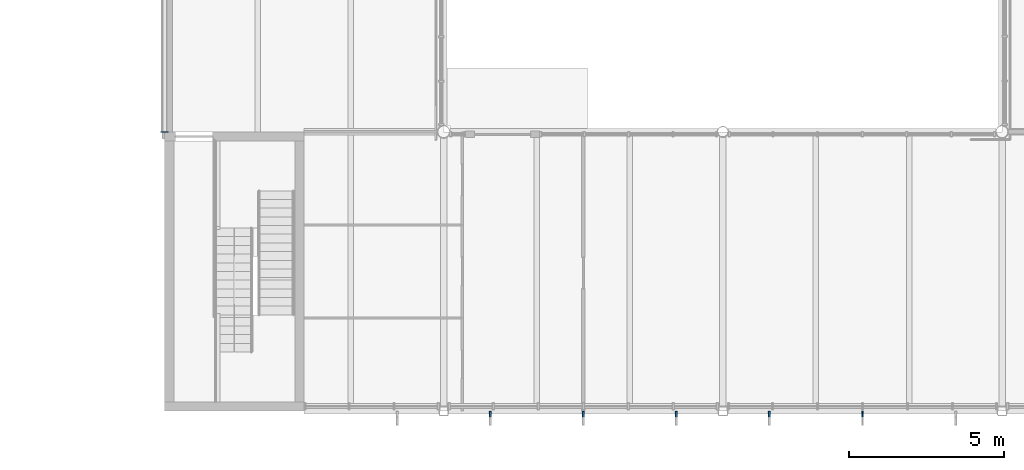
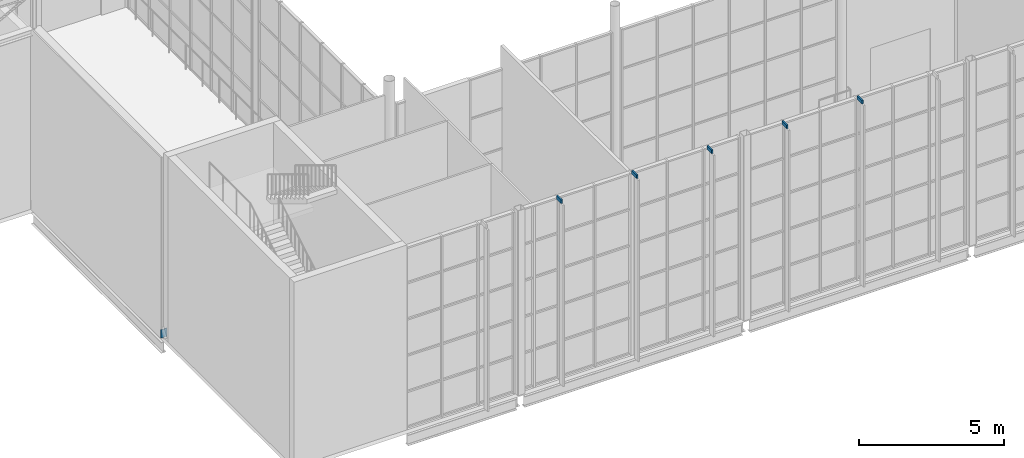
# One storey, part 81 of 90: 6 discrete accessories.
"""IFC4 building model written with IfcOpenShell, lengths in metres."""

from ifc_helpers import new_model, si_unit, direction, frame, origin, origin_2d, place, context, subcontext, project, spatial, rectangle, extrude, element, save


model = new_model("IFC4")

# Units and contexts
model_context = context("Model", 3, precision=1e-05, world=origin(), true_north=direction((0.0, 1.0)))
body_context = subcontext(model_context, "Body", "Model", "MODEL_VIEW")
ifc_project = project(units=[si_unit("LENGTHUNIT", "METRE"), si_unit("AREAUNIT", "SQUARE_METRE"), si_unit("VOLUMEUNIT", "CUBIC_METRE"), si_unit("PLANEANGLEUNIT", "RADIAN"), si_unit("MASSUNIT", "GRAM", prefix="KILO")], contexts=[model_context])

# Site, building, storey
site_placement = place(None, origin())
site = spatial("IfcSite", under=ifc_project, at=site_placement, CompositionType="ELEMENT")
building_placement = place(site_placement, origin())
building = spatial("IfcBuilding", under=site, at=building_placement, Name="Halyard Row Museum", CompositionType="ELEMENT")
storey_placement = place(building_placement, frame((0.0, 0.0, 13.39990234375)))
storey = spatial("IfcBuildingStorey", under=building, at=storey_placement, Name="L03", CompositionType="ELEMENT", Elevation=13.39990234375)

# Discrete accessories
discrete_accessory_placement = place(storey_placement, frame((72.0, 9.0, 0.215087890625), z_axis=(0.0, -1.0, 0.0), x_axis=(1.0, 0.0, 0.0)))
element("IfcDiscreteAccessory", 1, at=discrete_accessory_placement, inside=storey, Name="Brace L03 X72 9-18 A cast-in plate", PredefinedType="ANCHORPLATE", context=body_context, shape_type="SweptSolid", body=[
    extrude(rectangle(XDim=0.25, YDim=0.35009765625, at=origin_2d()), origin(), (0.0, 0.0, 1.0), 0.02001953125),
])
for number, where, z_axis, x_axis, name in (
    (2, (82.5, -0.16259765625, 7.650146484375), (0.0, 0.0, 1.0), (1.0, 0.0, 0.0), "Fin bracket"),
    (3, (85.5, -0.16259765625, 7.650146484375), (0.0, 0.0, 1.0), (1.0, 0.0, 0.0), "Fin bracket"),
    (4, (88.5, -0.16259765625, 7.650146484375), (0.0, 0.0, 1.0), (1.0, 0.0, 0.0), "Fin bracket"),
    (5, (91.5, -0.16259765625, 7.650146484375), (0.0, 0.0, 1.0), (1.0, 0.0, 0.0), "Fin bracket"),
    (6, (94.5, -0.16259765625, 7.650146484375), (0.0, 0.0, 1.0), (1.0, 0.0, 0.0), "Fin bracket"),
):
    element("IfcDiscreteAccessory", number, at=place(storey_placement, frame(where, z_axis=z_axis, x_axis=x_axis)), inside=storey, Name=name, PredefinedType="BRACKET", context=body_context, shape_type="SweptSolid", body=[
        extrude(rectangle(XDim=0.06005859375, YDim=0.324951171875, at=origin_2d()), origin(), (0.0, 0.0, 1.0), 0.14990234375),
    ])

save(model, "model.ifc")
